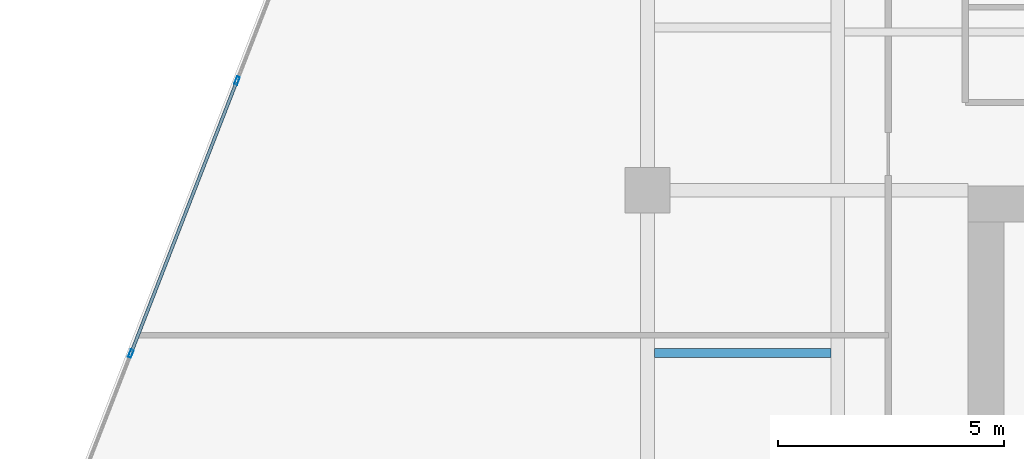
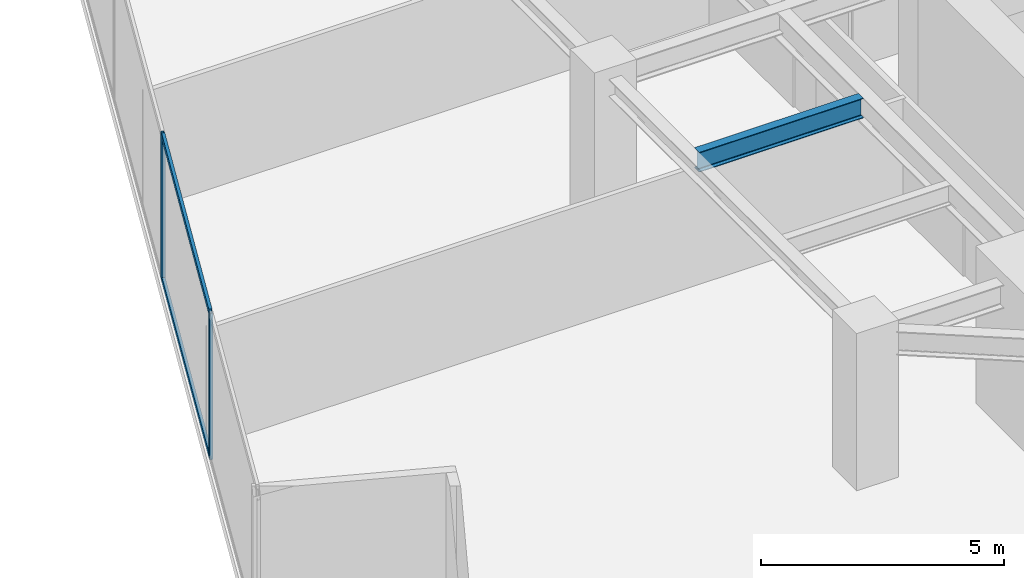
# One storey, part 7 of 26: 4 members, 1 beam, 1 element without a shape of its own.
"""IFC4 building model written with IfcOpenShell, lengths in metres."""

from ifc_helpers import new_model, si_unit, direction, frame, origin, origin_2d, place, context, subcontext, project, spatial, hollow_rectangle, i_section, extrude, source, transform, mapped, material, material_profile, profile_set, type_object, type_shapes, element, aggregate, save


model = new_model("IFC4")

# Units and contexts
model_context = context("Model", 3, precision=1e-05, world=origin(), true_north=direction((0.0, 1.0)))
body_context = subcontext(model_context, "Body", "Model", "MODEL_VIEW")
ifc_project = project(units=[si_unit("LENGTHUNIT", "METRE"), si_unit("AREAUNIT", "SQUARE_METRE"), si_unit("VOLUMEUNIT", "CUBIC_METRE"), si_unit("PLANEANGLEUNIT", "RADIAN"), si_unit("MASSUNIT", "GRAM", prefix="KILO")], contexts=[model_context])

# Site, building, storey
site_placement = place(None, origin())
site = spatial("IfcSite", under=ifc_project, at=site_placement, CompositionType="ELEMENT")
building_placement = place(site_placement, origin())
building = spatial("IfcBuilding", under=site, at=building_placement, Name="Krantzveldt Concourse Tower", CompositionType="ELEMENT")
storey_placement = place(building_placement, frame((0.0, 0.0, 129.550048828125)))
storey = spatial("IfcBuildingStorey", under=building, at=storey_placement, Name="L31", CompositionType="ELEMENT", Elevation=129.550048828125)

# Beam
ifc_material_1 = material(Name="Steel S355JR", Category="steel")
ifc_material_profile_1 = material_profile(ifc_material_1, i_section(OverallWidth=0.199951171875, OverallDepth=0.5, WebThickness=0.01025390625, FlangeThickness=0.01611328125, FilletRadius=0.02099609375, at=origin_2d()), Name="Steel S355JR", Category="steel")
ifc_profile_set_1 = profile_set([ifc_material_profile_1], Name="Steel S355JR - IPE 500")
beam_type = type_object("IfcBeamType", Name="BM-J-IPE500", PredefinedType="JOIST", material=ifc_profile_set_1)
shared_shape_1 = source(origin(), body_context, "Body", "SweptSolid", [
    extrude(i_section(OverallWidth=0.199951171875, OverallDepth=0.5, WebThickness=0.01025390625, FlangeThickness=0.01611328125, FilletRadius=0.02099609375, at=origin_2d()), origin(), (0.0, 0.0, 1.0), 3.900146484375),
])
type_shapes(beam_type, [shared_shape_1])
beam_placement = place(storey_placement, frame((21.14990234375, 23.10009765625, 3.419921875), z_axis=(1.0, 0.0, 0.0), x_axis=(0.0, 1.0, 0.0)))
element("IfcBeam", 1, at=beam_placement, inside=storey, type_object=beam_type, Name="L31 Secondary Floor Joist JW-2", PredefinedType="JOIST", context=body_context, shape_type="MappedRepresentation", body=[
    mapped(shared_shape_1, transform((0.0, 0.0, 0.0), x_axis=(1.0, 0.0, 0.0), y_axis=(0.0, 1.0, 0.0), z_axis=(0.0, 0.0, 1.0), scale=1.0)),
])

# Curtain wall, members
ifc_material_2 = material(Name="Anodised aluminium 6063-T6", Category="aluminium")
curtain_wall_type = type_object("IfcCurtainWallType", Name="CW2", PredefinedType="USERDEFINED", material=ifc_material_2)
curtain_wall_placement = place(storey_placement, origin())
curtain_wall = element("IfcCurtainWall", 2, at=curtain_wall_placement, inside=storey, type_object=curtain_wall_type, Name="CW-L31-F01", ObjectType="UNITISED CURTAIN WALL", PredefinedType="USERDEFINED")
ifc_material_profile_2 = material_profile(ifc_material_2, hollow_rectangle(XDim=0.070068359375, YDim=0.179931640625, WallThickness=0.0048828125, at=origin_2d()), Name="Anodised aluminium 6063-T6", Category="aluminium")
ifc_profile_set_2 = profile_set([ifc_material_profile_2], Name="Anodised aluminium 6063-T6 - ALU-MULL 180x70x5")
member_type_1 = type_object("IfcMemberType", Name="CW-MUL-180", PredefinedType="MULLION", material=ifc_profile_set_2)
shared_shape_2 = source(origin(), body_context, "Body", "SweptSolid", [
    extrude(hollow_rectangle(XDim=0.070068359375, YDim=0.179931640625, WallThickness=0.0048828125, at=origin_2d()), origin(), (0.0, 0.0, 1.0), 3.669921875),
])
type_shapes(member_type_1, [shared_shape_2])
member_1_placement = place(storey_placement, frame((11.93115234375, 29.121337890625, 0.0), z_axis=(0.0, 0.0, 1.0), x_axis=(0.93200790248, -0.362437952917, 0.0)))
member_1 = element("IfcMember", 3, at=member_1_placement, type_object=member_type_1, Name="CW-Z12 mullion 5", PredefinedType="MULLION", context=body_context, shape_type="MappedRepresentation", body=[
    mapped(shared_shape_2, transform((0.0, 0.0, 0.0), x_axis=(1.0, 0.0, 0.0), y_axis=(0.0, 1.0, 0.0), z_axis=(0.0, 0.0, 1.0), scale=1.0)),
])
member_2_placement = place(storey_placement, frame((9.58740234375, 23.094482421875, 0.0), z_axis=(0.0, 0.0, 1.0), x_axis=(0.93200790248, -0.362437952917, 0.0)))
member_2 = element("IfcMember", 4, at=member_2_placement, type_object=member_type_1, Name="CW-Z12 mullion 6", PredefinedType="MULLION", context=body_context, shape_type="MappedRepresentation", body=[
    mapped(shared_shape_2, transform((0.0, 0.0, 0.0), x_axis=(1.0, 0.0, 0.0), y_axis=(0.0, 1.0, 0.0), z_axis=(0.0, 0.0, 1.0), scale=1.0)),
])
ifc_material_profile_3 = material_profile(ifc_material_2, hollow_rectangle(XDim=0.070068359375, YDim=0.139892578125, WallThickness=0.0048828125, at=origin_2d()), Name="Anodised aluminium 6063-T6", Category="aluminium")
ifc_profile_set_3 = profile_set([ifc_material_profile_3], Name="Anodised aluminium 6063-T6 - ALU-TRAN 140x70x5")
member_type_2 = type_object("IfcMemberType", Name="CW-TRN-150", PredefinedType="USERDEFINED", material=ifc_profile_set_3)
shared_shape_3 = source(origin(), body_context, "Body", "SweptSolid", [
    extrude(hollow_rectangle(XDim=0.070068359375, YDim=0.139892578125, WallThickness=0.0048828125, at=origin_2d()), origin(), (0.0, 0.0, 1.0), 6.396484375),
])
type_shapes(member_type_2, [shared_shape_3])
member_3_placement = place(storey_placement, frame((11.91845703125, 29.0888671875, 0.034912109375), z_axis=(-0.36243705186, -0.932008252882, 0.0), x_axis=(0.932008252882, -0.36243705186, 0.0)))
member_3 = element("IfcMember", 5, at=member_3_placement, type_object=member_type_2, Name="CW-Z12 transom 5.1", ObjectType="TRANSOM", PredefinedType="USERDEFINED", context=body_context, shape_type="MappedRepresentation", body=[
    mapped(shared_shape_3, transform((0.0, 0.0, 0.0), x_axis=(1.0, 0.0, 0.0), y_axis=(0.0, 1.0, 0.0), z_axis=(0.0, 0.0, 1.0), scale=1.0)),
])
member_4_placement = place(storey_placement, frame((11.91845703125, 29.0888671875, 3.635009765625), z_axis=(-0.36243705186, -0.932008252882, 0.0), x_axis=(0.932008252882, -0.36243705186, 0.0)))
member_4 = element("IfcMember", 6, at=member_4_placement, type_object=member_type_2, Name="CW-Z12 transom 5.2", ObjectType="TRANSOM", PredefinedType="USERDEFINED", context=body_context, shape_type="MappedRepresentation", body=[
    mapped(shared_shape_3, transform((0.0, 0.0, 0.0), x_axis=(1.0, 0.0, 0.0), y_axis=(0.0, 1.0, 0.0), z_axis=(0.0, 0.0, 1.0), scale=1.0)),
])
aggregate(curtain_wall, [member_1, member_2, member_3, member_4])

save(model, "model.ifc")
